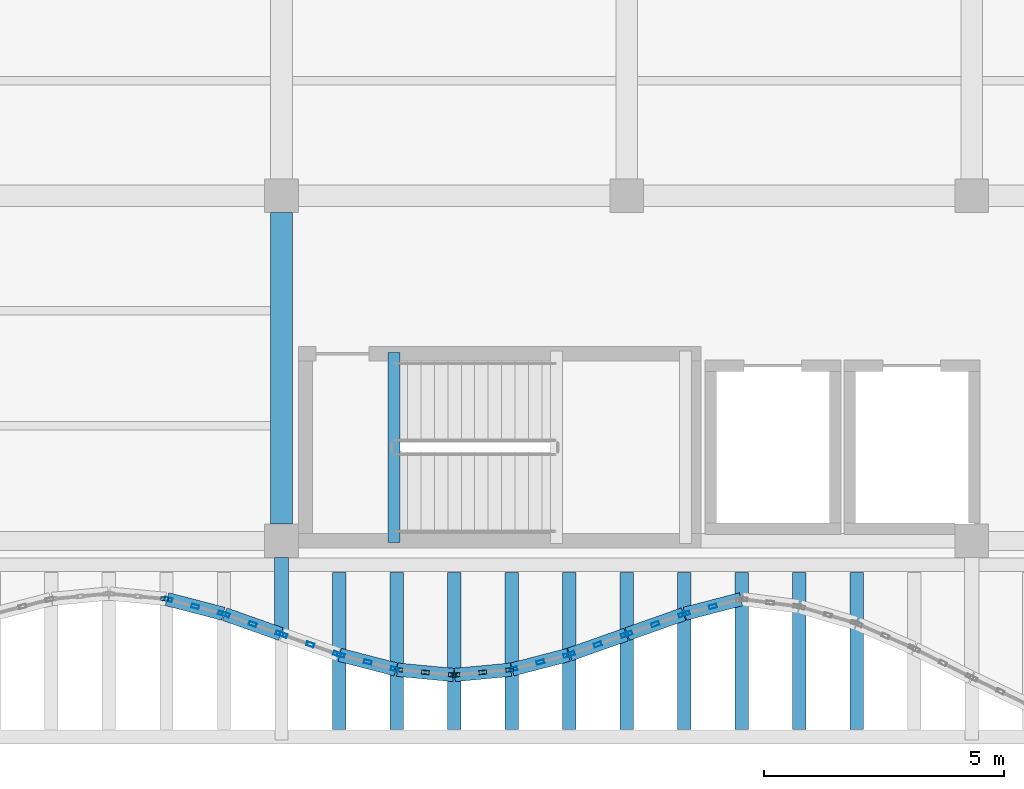
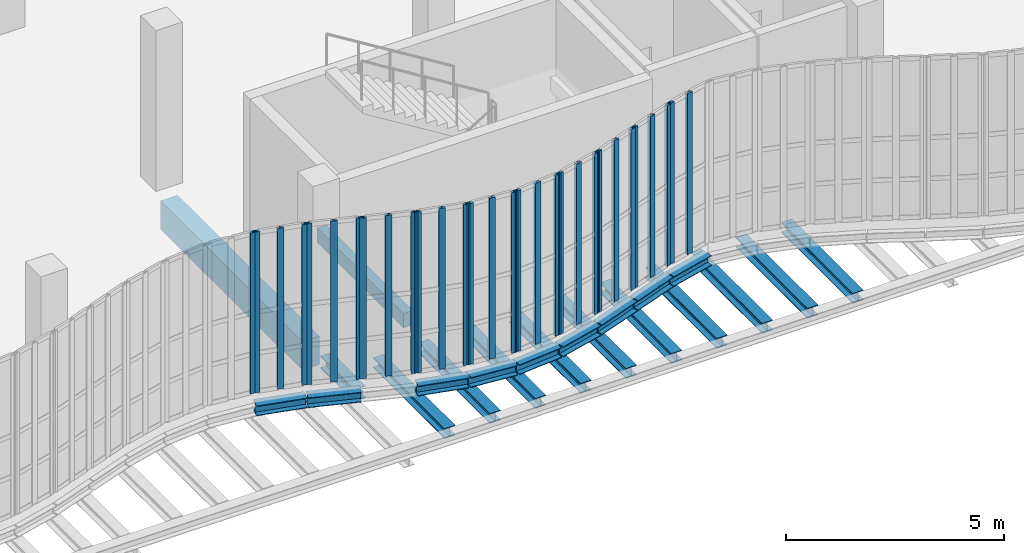
# One storey, part 16 of 108: 30 members, 22 beams, 11 elements without a shape of their own.
"""IFC4 building model written with IfcOpenShell, lengths in metres."""

from ifc_helpers import new_model, si_unit, direction, frame, origin, origin_2d, place, context, subcontext, project, spatial, rectangle, hollow_rectangle, i_section, extrude, material, layer, layer_set, material_profile, profile_set, type_object, element, aggregate, save


model = new_model("IFC4")

# Units and contexts
model_context = context("Model", 3, precision=1e-05, world=origin(), true_north=direction((0.0, 1.0)))
body_context = subcontext(model_context, "Body", "Model", "MODEL_VIEW")
ifc_project = project(units=[si_unit("LENGTHUNIT", "METRE"), si_unit("AREAUNIT", "SQUARE_METRE"), si_unit("VOLUMEUNIT", "CUBIC_METRE"), si_unit("PLANEANGLEUNIT", "RADIAN"), si_unit("MASSUNIT", "GRAM", prefix="KILO"), si_unit("THERMODYNAMICTEMPERATUREUNIT", "KELVIN"), si_unit("POWERUNIT", "WATT")], contexts=[model_context])

# Site, building, storey
site_placement = place(None, origin())
site = spatial("IfcSite", under=ifc_project, at=site_placement, CompositionType="ELEMENT")
building_placement = place(site_placement, origin())
building = spatial("IfcBuilding", under=site, at=building_placement, Name="Kaldorven Railside Theatre", CompositionType="ELEMENT")
storey_placement = place(building_placement, frame((0.0, 0.0, 5.39990234375)))
storey = spatial("IfcBuildingStorey", under=building, at=storey_placement, Name="L01", CompositionType="ELEMENT", Elevation=5.39990234375)

# Beams
ifc_material_1 = material(Name="Steel S355", Category="steel")
ifc_material_profile_1 = material_profile(ifc_material_1, i_section(OverallWidth=0.280029296875, OverallDepth=0.280029296875, WebThickness=0.010498046875, FlangeThickness=0.01806640625, at=origin_2d()), Name="HEB 280")
ifc_profile_set_1 = profile_set([ifc_material_profile_1], Name="Steel S355")
beam_type_1 = type_object("IfcBeamType", Name="BM-HEB280", PredefinedType="SPANDREL", material=ifc_profile_set_1)
beam_1_placement = place(storey_placement, frame((56.014404296875, 17.982421875, -0.43994140625), z_axis=(0.967980555895, -0.25102518481, 0.0), x_axis=(0.25102518481, 0.967980555895, 0.0)))
element("IfcBeam", 1, at=beam_1_placement, inside=storey, type_object=beam_type_1, Name="L01 Sinusoidal Flute Edge Spandrel FSB-017", PredefinedType="SPANDREL", context=body_context, shape_type="SweptSolid", body=[
    extrude(i_section(OverallWidth=0.280029296875, OverallDepth=0.280029296875, WebThickness=0.010498046875, FlangeThickness=0.01806640625, at=origin_2d()), origin(), (0.0, 0.0, 1.0), 1.2099609375),
])
beam_2_placement = place(storey_placement, frame((57.214111328125, 17.669921875, -0.43994140625), z_axis=(0.942627225161, -0.333847142245, 0.0), x_axis=(0.333847142245, 0.942627225161, 0.0)))
element("IfcBeam", 2, at=beam_2_placement, inside=storey, type_object=beam_type_1, Name="L01 Sinusoidal Flute Edge Spandrel FSB-018", PredefinedType="SPANDREL", context=body_context, shape_type="SweptSolid", body=[
    extrude(i_section(OverallWidth=0.280029296875, OverallDepth=0.280029296875, WebThickness=0.010498046875, FlangeThickness=0.01806640625, at=origin_2d()), origin(), (0.0, 0.0, 1.0), 1.2431640625),
])
beam_3_placement = place(storey_placement, frame((59.614501953125, 16.8212890625, -0.43994140625), z_axis=(0.967967836725, -0.251074226206, 0.0), x_axis=(0.251074226206, 0.967967836725, 0.0)))
element("IfcBeam", 3, at=beam_3_placement, inside=storey, type_object=beam_type_1, Name="L01 Sinusoidal Flute Edge Spandrel FSB-020", PredefinedType="SPANDREL", context=body_context, shape_type="SweptSolid", body=[
    extrude(i_section(OverallWidth=0.280029296875, OverallDepth=0.280029296875, WebThickness=0.010498046875, FlangeThickness=0.01806640625, at=origin_2d()), origin(), (0.0, 0.0, 1.0), 1.209716796875),
])
beam_4_placement = place(storey_placement, frame((59.60009765625, 15.260009765625, -0.719970703125), z_axis=(0.0, 1.0, 0.0), x_axis=(-1.0, 0.0, 0.0)))
element("IfcBeam", 4, at=beam_4_placement, inside=storey, type_object=beam_type_1, Name="L01 Sinusoidal Diaphragm Rib Outrigger FOB-M020", PredefinedType="SPANDREL", context=body_context, shape_type="SweptSolid", body=[
    extrude(i_section(OverallWidth=0.280029296875, OverallDepth=0.280029296875, WebThickness=0.010498046875, FlangeThickness=0.01806640625, at=origin_2d()), origin(), (0.0, 0.0, 1.0), 3.280029296875),
])
beam_5_placement = place(storey_placement, frame((60.81494140625, 16.512451171875, -0.43994140625), z_axis=(0.99552436473, -0.094505233873, 0.0), x_axis=(0.094505233873, 0.99552436473, 0.0)))
element("IfcBeam", 5, at=beam_5_placement, inside=storey, type_object=beam_type_1, Name="L01 Sinusoidal Flute Edge Spandrel FSB-021", PredefinedType="SPANDREL", context=body_context, shape_type="SweptSolid", body=[
    extrude(i_section(OverallWidth=0.280029296875, OverallDepth=0.280029296875, WebThickness=0.010498046875, FlangeThickness=0.01806640625, at=origin_2d()), origin(), (0.0, 0.0, 1.0), 1.175537109375),
])
beam_6_placement = place(storey_placement, frame((60.800048828125, 15.260009765625, -0.719970703125), z_axis=(0.0, 1.0, 0.0), x_axis=(-1.0, 0.0, 0.0)))
element("IfcBeam", 6, at=beam_6_placement, inside=storey, type_object=beam_type_1, Name="L01 Sinusoidal Diaphragm Rib Outrigger FOB-M021", PredefinedType="SPANDREL", context=body_context, shape_type="SweptSolid", body=[
    extrude(i_section(OverallWidth=0.280029296875, OverallDepth=0.280029296875, WebThickness=0.010498046875, FlangeThickness=0.01806640625, at=origin_2d()), origin(), (0.0, 0.0, 1.0), 3.280029296875),
])
beam_7_placement = place(storey_placement, frame((62.014892578125, 16.4013671875, -0.43994140625), z_axis=(0.99552436473, 0.094505233873, 0.0), x_axis=(-0.094505233873, 0.99552436473, 0.0)))
element("IfcBeam", 7, at=beam_7_placement, inside=storey, type_object=beam_type_1, Name="L01 Sinusoidal Flute Edge Spandrel FSB-022", PredefinedType="SPANDREL", context=body_context, shape_type="SweptSolid", body=[
    extrude(i_section(OverallWidth=0.280029296875, OverallDepth=0.280029296875, WebThickness=0.010498046875, FlangeThickness=0.01806640625, at=origin_2d()), origin(), (0.0, 0.0, 1.0), 1.175537109375),
])
beam_8_placement = place(storey_placement, frame((62.0, 15.260009765625, -0.719970703125), z_axis=(0.0, 1.0, 0.0), x_axis=(-1.0, 0.0, 0.0)))
element("IfcBeam", 8, at=beam_8_placement, inside=storey, type_object=beam_type_1, Name="L01 Sinusoidal Diaphragm Rib Outrigger FOB-M022", PredefinedType="SPANDREL", context=body_context, shape_type="SweptSolid", body=[
    extrude(i_section(OverallWidth=0.280029296875, OverallDepth=0.280029296875, WebThickness=0.010498046875, FlangeThickness=0.01806640625, at=origin_2d()), origin(), (0.0, 0.0, 1.0), 3.280029296875),
])
beam_9_placement = place(storey_placement, frame((63.214599609375, 16.517578125, -0.43994140625), z_axis=(0.967967836725, 0.251074226206, 0.0), x_axis=(-0.251074226206, 0.967967836725, 0.0)))
element("IfcBeam", 9, at=beam_9_placement, inside=storey, type_object=beam_type_1, Name="L01 Sinusoidal Flute Edge Spandrel FSB-023", PredefinedType="SPANDREL", context=body_context, shape_type="SweptSolid", body=[
    extrude(i_section(OverallWidth=0.280029296875, OverallDepth=0.280029296875, WebThickness=0.010498046875, FlangeThickness=0.01806640625, at=origin_2d()), origin(), (0.0, 0.0, 1.0), 1.209716796875),
])
beam_10_placement = place(storey_placement, frame((63.199951171875, 15.260009765625, -0.719970703125), z_axis=(0.0, 1.0, 0.0), x_axis=(-1.0, 0.0, 0.0)))
element("IfcBeam", 10, at=beam_10_placement, inside=storey, type_object=beam_type_1, Name="L01 Sinusoidal Diaphragm Rib Outrigger FOB-M023", PredefinedType="SPANDREL", context=body_context, shape_type="SweptSolid", body=[
    extrude(i_section(OverallWidth=0.280029296875, OverallDepth=0.280029296875, WebThickness=0.010498046875, FlangeThickness=0.01806640625, at=origin_2d()), origin(), (0.0, 0.0, 1.0), 3.280029296875),
])
beam_11_placement = place(storey_placement, frame((64.4140625, 16.830078125, -0.43994140625), z_axis=(0.942627225161, 0.333847142245, 0.0), x_axis=(-0.333847142245, 0.942627225161, 0.0)))
element("IfcBeam", 11, at=beam_11_placement, inside=storey, type_object=beam_type_1, Name="L01 Sinusoidal Flute Edge Spandrel FSB-024", PredefinedType="SPANDREL", context=body_context, shape_type="SweptSolid", body=[
    extrude(i_section(OverallWidth=0.280029296875, OverallDepth=0.280029296875, WebThickness=0.010498046875, FlangeThickness=0.01806640625, at=origin_2d()), origin(), (0.0, 0.0, 1.0), 1.2431640625),
])
beam_12_placement = place(storey_placement, frame((64.39990234375, 15.260009765625, -0.719970703125), z_axis=(0.0, 1.0, 0.0), x_axis=(-1.0, 0.0, 0.0)))
element("IfcBeam", 12, at=beam_12_placement, inside=storey, type_object=beam_type_1, Name="L01 Sinusoidal Diaphragm Rib Outrigger FOB-M024", PredefinedType="SPANDREL", context=body_context, shape_type="SweptSolid", body=[
    extrude(i_section(OverallWidth=0.280029296875, OverallDepth=0.280029296875, WebThickness=0.010498046875, FlangeThickness=0.01806640625, at=origin_2d()), origin(), (0.0, 0.0, 1.0), 3.280029296875),
])
beam_13_placement = place(storey_placement, frame((65.614013671875, 17.2548828125, -0.43994140625), z_axis=(0.942627225161, 0.333847142245, 0.0), x_axis=(-0.333847142245, 0.942627225161, 0.0)))
element("IfcBeam", 13, at=beam_13_placement, inside=storey, type_object=beam_type_1, Name="L01 Sinusoidal Flute Edge Spandrel FSB-025", PredefinedType="SPANDREL", context=body_context, shape_type="SweptSolid", body=[
    extrude(i_section(OverallWidth=0.280029296875, OverallDepth=0.280029296875, WebThickness=0.010498046875, FlangeThickness=0.01806640625, at=origin_2d()), origin(), (0.0, 0.0, 1.0), 1.2431640625),
])
beam_14_placement = place(storey_placement, frame((65.60009765625, 15.260009765625, -0.719970703125), z_axis=(0.0, 1.0, 0.0), x_axis=(-1.0, 0.0, 0.0)))
element("IfcBeam", 14, at=beam_14_placement, inside=storey, type_object=beam_type_1, Name="L01 Sinusoidal Diaphragm Rib Outrigger FOB-M025", PredefinedType="SPANDREL", context=body_context, shape_type="SweptSolid", body=[
    extrude(i_section(OverallWidth=0.280029296875, OverallDepth=0.280029296875, WebThickness=0.010498046875, FlangeThickness=0.01806640625, at=origin_2d()), origin(), (0.0, 0.0, 1.0), 3.280029296875),
])
beam_15_placement = place(storey_placement, frame((66.814453125, 17.6787109375, -0.43994140625), z_axis=(0.967980555895, 0.25102518481, 0.0), x_axis=(-0.25102518481, 0.967980555895, 0.0)))
element("IfcBeam", 15, at=beam_15_placement, inside=storey, type_object=beam_type_1, Name="L01 Sinusoidal Flute Edge Spandrel FSB-026", PredefinedType="SPANDREL", context=body_context, shape_type="SweptSolid", body=[
    extrude(i_section(OverallWidth=0.280029296875, OverallDepth=0.280029296875, WebThickness=0.010498046875, FlangeThickness=0.01806640625, at=origin_2d()), origin(), (0.0, 0.0, 1.0), 1.2099609375),
])
for number, where, z_axis, x_axis, name in (
    (16, (66.800048828125, 15.260009765625, -0.719970703125), (0.0, 1.0, 0.0), (-1.0, 0.0, 0.0), "L01 Sinusoidal Diaphragm Rib Outrigger FOB-M026"),
    (17, (68.0, 15.260009765625, -0.719970703125), (0.0, 1.0, 0.0), (-1.0, 0.0, 0.0), "L01 Sinusoidal Diaphragm Rib Outrigger FOB-M027"),
    (18, (69.199951171875, 15.260009765625, -0.719970703125), (0.0, 1.0, 0.0), (-1.0, 0.0, 0.0), "L01 Sinusoidal Diaphragm Rib Outrigger FOB-M028"),
    (19, (70.39990234375, 15.260009765625, -0.719970703125), (0.0, 1.0, 0.0), (-1.0, 0.0, 0.0), "L01 Sinusoidal Diaphragm Rib Outrigger FOB-M029"),
):
    element("IfcBeam", number, at=place(storey_placement, frame(where, z_axis=z_axis, x_axis=x_axis)), inside=storey, type_object=beam_type_1, Name=name, PredefinedType="SPANDREL", context=body_context, shape_type="SweptSolid", body=[
        extrude(i_section(OverallWidth=0.280029296875, OverallDepth=0.280029296875, WebThickness=0.010498046875, FlangeThickness=0.01806640625, at=origin_2d()), origin(), (0.0, 0.0, 1.0), 3.280029296875),
    ])
ifc_material_profile_2 = material_profile(ifc_material_1, i_section(OverallWidth=0.300048828125, OverallDepth=0.340087890625, WebThickness=0.011962890625, FlangeThickness=0.021484375, at=origin_2d()), Name="HEB 340")
ifc_profile_set_2 = profile_set([ifc_material_profile_2], Name="Steel S355")
beam_type_2 = type_object("IfcBeamType", Name="BM-HEB340", PredefinedType="SPANDREL", material=ifc_profile_set_2)
beam_16_placement = place(storey_placement, frame((58.39990234375, 17.31005859375, -0.469970703125), z_axis=(0.0, 1.0, 0.0), x_axis=(-1.0, 0.0, 0.0)))
element("IfcBeam", 20, at=beam_16_placement, inside=storey, type_object=beam_type_2, Name="L01 Sinusoidal Veil Outrigger FOB-1058", PredefinedType="SPANDREL", context=body_context, shape_type="SweptSolid", body=[
    extrude(i_section(OverallWidth=0.300048828125, OverallDepth=0.340087890625, WebThickness=0.011962890625, FlangeThickness=0.021484375, at=origin_2d()), origin(), (0.0, 0.0, 1.0), 1.5400390625),
])
ifc_material_2 = material(Name="Concrete C40/50", Category="concrete")
ifc_material_profile_3 = material_profile(ifc_material_2, rectangle(XDim=0.25, YDim=0.39990234375, at=origin_2d()), Name="RC 250x400")
ifc_profile_set_3 = profile_set([ifc_material_profile_3], Name="Concrete C40/50")
beam_type_3 = type_object("IfcBeamType", Name="BM-RC250x400", PredefinedType="LINTEL", material=ifc_profile_set_3)
beam_17_placement = place(storey_placement, frame((60.75, 19.169921875, -0.344970703125), z_axis=(0.0, 1.0, 0.0), x_axis=(-1.0, 0.0, 0.0)))
element("IfcBeam", 21, at=beam_17_placement, inside=storey, type_object=beam_type_3, Name="Stair ST-03 L01 Landing Trimmer Beam", PredefinedType="LINTEL", context=body_context, shape_type="SweptSolid", body=[
    extrude(rectangle(XDim=0.25, YDim=0.39990234375, at=origin_2d()), origin(), (0.0, 0.0, 1.0), 3.9599609375),
])
ifc_material_profile_4 = material_profile(ifc_material_2, rectangle(XDim=0.449951171875, YDim=0.800048828125, at=origin_2d()), Name="RC 450x800")
ifc_profile_set_4 = profile_set([ifc_material_profile_4], Name="Concrete C40/50")
beam_type_4 = type_object("IfcBeamType", Name="BM-RC450x800", PredefinedType="BEAM", material=ifc_profile_set_4)
beam_18_placement = place(storey_placement, frame((58.39990234375, 19.550048828125, -0.699951171875), z_axis=(0.0, 1.0, 0.0), x_axis=(-1.0, 0.0, 0.0)))
element("IfcBeam", 22, at=beam_18_placement, inside=storey, type_object=beam_type_4, Name="L01 Girder BGY-L01-058-019-72", PredefinedType="BEAM", context=body_context, shape_type="SweptSolid", body=[
    extrude(rectangle(XDim=0.449951171875, YDim=0.800048828125, at=origin_2d()), origin(), (0.0, 0.0, 1.0), 6.5),
])

# Curtain wall, member
ifc_material_3 = material(Name="Low-E laminated solar-control glass", Category="glass")
ifc_layer_1 = layer(ifc_material_3, 0.159912109375, Name="Low-E laminated solar-control glass")
ifc_layer_set_1 = layer_set([ifc_layer_1], Name="Low-E laminated solar-control glass")
curtain_wall_type_1 = type_object("IfcCurtainWallType", Name="CWT-03", PredefinedType="USERDEFINED", material=ifc_layer_set_1)
curtain_wall_1_placement = place(storey_placement, origin())
curtain_wall_1 = element("IfcCurtainWall", 23, at=curtain_wall_1_placement, inside=storey, type_object=curtain_wall_type_1, Name="Sinusoidal Fluted Curtain Wall CW-L01-S16", ObjectType="FLUTED GLAZING", PredefinedType="USERDEFINED")
ifc_material_4 = material(Name="Anodised bronze aluminium", Category="aluminium")
ifc_material_profile_5 = material_profile(ifc_material_4, hollow_rectangle(XDim=0.080078125, YDim=0.159912109375, WallThickness=0.00634765625, at=origin_2d()), Name="RHS 160x80x6.3")
ifc_profile_set_5 = profile_set([ifc_material_profile_5], Name="Anodised bronze aluminium")
member_type = type_object("IfcMemberType", Name="CWM-160", PredefinedType="MULLION", material=ifc_profile_set_5)
member_1_placement = place(storey_placement, frame((55.960205078125, 17.989990234375, 0.0), z_axis=(0.0, 0.0, 1.0), x_axis=(0.094491973758, 0.995525623425, 0.0)))
member_1 = element("IfcMember", 24, at=member_1_placement, type_object=member_type, Name="CW-L01-S16 mullion 3", PredefinedType="MULLION", context=body_context, shape_type="SweptSolid", body=[
    extrude(hollow_rectangle(XDim=0.080078125, YDim=0.159912109375, WallThickness=0.00634765625, at=origin_2d()), origin(), (0.0, 0.0, 1.0), 4.5),
])
aggregate(curtain_wall_1, [member_1])

# Curtain wall, members
ifc_layer_2 = layer(ifc_material_3, 0.159912109375, Name="Low-E laminated solar-control glass")
ifc_layer_set_2 = layer_set([ifc_layer_2], Name="Low-E laminated solar-control glass")
curtain_wall_type_2 = type_object("IfcCurtainWallType", Name="CWT-02", PredefinedType="USERDEFINED", material=ifc_layer_set_2)
curtain_wall_2_placement = place(storey_placement, origin())
curtain_wall_2 = element("IfcCurtainWall", 25, at=curtain_wall_2_placement, inside=storey, type_object=curtain_wall_type_2, Name="Sinusoidal Fluted Curtain Wall CW-L01-S17", ObjectType="FLUTED GLAZING", PredefinedType="USERDEFINED")
member_2_placement = place(storey_placement, frame((56.038818359375, 17.97607421875, 0.0), z_axis=(0.0, 0.0, 1.0), x_axis=(0.250953760326, 0.967999075505, 0.0)))
member_2 = element("IfcMember", 26, at=member_2_placement, type_object=member_type, Name="CW-L01-S17 mullion 1", PredefinedType="MULLION", context=body_context, shape_type="SweptSolid", body=[
    extrude(hollow_rectangle(XDim=0.080078125, YDim=0.159912109375, WallThickness=0.00634765625, at=origin_2d()), origin(), (0.0, 0.0, 1.0), 4.5),
])
member_3_placement = place(storey_placement, frame((56.60009765625, 17.83056640625, 0.0), z_axis=(0.0, 0.0, 1.0), x_axis=(0.250953760326, 0.967999075505, 0.0)))
member_3 = element("IfcMember", 27, at=member_3_placement, type_object=member_type, Name="CW-L01-S17 mullion 2", PredefinedType="MULLION", context=body_context, shape_type="SweptSolid", body=[
    extrude(hollow_rectangle(XDim=0.080078125, YDim=0.159912109375, WallThickness=0.00634765625, at=origin_2d()), origin(), (0.0, 0.0, 1.0), 4.5),
])
member_4_placement = place(storey_placement, frame((57.161376953125, 17.68505859375, 0.0), z_axis=(0.0, 0.0, 1.0), x_axis=(0.250953760326, 0.967999075505, 0.0)))
member_4 = element("IfcMember", 28, at=member_4_placement, type_object=member_type, Name="CW-L01-S17 mullion 3", PredefinedType="MULLION", context=body_context, shape_type="SweptSolid", body=[
    extrude(hollow_rectangle(XDim=0.080078125, YDim=0.159912109375, WallThickness=0.00634765625, at=origin_2d()), origin(), (0.0, 0.0, 1.0), 4.5),
])
aggregate(curtain_wall_2, [member_2, member_3, member_4])

ifc_layer_3 = layer(ifc_material_3, 0.159912109375, Name="Low-E laminated solar-control glass")
ifc_layer_set_3 = layer_set([ifc_layer_3], Name="Low-E laminated solar-control glass")
curtain_wall_type_3 = type_object("IfcCurtainWallType", Name="CWT-01", PredefinedType="USERDEFINED", material=ifc_layer_set_3)
curtain_wall_3_placement = place(storey_placement, origin())
curtain_wall_3 = element("IfcCurtainWall", 29, at=curtain_wall_3_placement, inside=storey, type_object=curtain_wall_type_3, Name="Sinusoidal Fluted Curtain Wall CW-L01-S18", ObjectType="FLUTED GLAZING", PredefinedType="USERDEFINED")
member_5_placement = place(storey_placement, frame((57.23779296875, 17.66162109375, 0.0), z_axis=(0.0, 0.0, 1.0), x_axis=(0.33384714225, 0.942627225159, 0.0)))
member_5 = element("IfcMember", 30, at=member_5_placement, type_object=member_type, Name="CW-L01-S18 mullion 1", PredefinedType="MULLION", context=body_context, shape_type="SweptSolid", body=[
    extrude(hollow_rectangle(XDim=0.080078125, YDim=0.159912109375, WallThickness=0.00634765625, at=origin_2d()), origin(), (0.0, 0.0, 1.0), 4.5),
])
member_6_placement = place(storey_placement, frame((57.800048828125, 17.46240234375, 0.0), z_axis=(0.0, 0.0, 1.0), x_axis=(0.33384714225, 0.942627225159, 0.0)))
member_6 = element("IfcMember", 31, at=member_6_placement, type_object=member_type, Name="CW-L01-S18 mullion 2", PredefinedType="MULLION", context=body_context, shape_type="SweptSolid", body=[
    extrude(hollow_rectangle(XDim=0.080078125, YDim=0.159912109375, WallThickness=0.00634765625, at=origin_2d()), origin(), (0.0, 0.0, 1.0), 4.5),
])
member_7_placement = place(storey_placement, frame((58.3623046875, 17.263427734375, 0.0), z_axis=(0.0, 0.0, 1.0), x_axis=(0.33384714225, 0.942627225159, 0.0)))
member_7 = element("IfcMember", 32, at=member_7_placement, type_object=member_type, Name="CW-L01-S18 mullion 3", PredefinedType="MULLION", context=body_context, shape_type="SweptSolid", body=[
    extrude(hollow_rectangle(XDim=0.080078125, YDim=0.159912109375, WallThickness=0.00634765625, at=origin_2d()), origin(), (0.0, 0.0, 1.0), 4.5),
])
aggregate(curtain_wall_3, [member_5, member_6, member_7])

curtain_wall_4_placement = place(storey_placement, origin())
curtain_wall_4 = element("IfcCurtainWall", 33, at=curtain_wall_4_placement, inside=storey, type_object=curtain_wall_type_3, Name="Sinusoidal Fluted Curtain Wall CW-L01-S19", ObjectType="FLUTED GLAZING", PredefinedType="USERDEFINED")
member_8_placement = place(storey_placement, frame((58.437744140625, 17.236572265625, 0.0), z_axis=(0.0, 0.0, 1.0), x_axis=(0.33384714225, 0.942627225159, 0.0)))
member_8 = element("IfcMember", 34, at=member_8_placement, type_object=member_type, Name="CW-L01-S19 mullion 1", PredefinedType="MULLION", context=body_context, shape_type="SweptSolid", body=[
    extrude(hollow_rectangle(XDim=0.080078125, YDim=0.159912109375, WallThickness=0.00634765625, at=origin_2d()), origin(), (0.0, 0.0, 1.0), 4.5),
])
member_9_placement = place(storey_placement, frame((59.0, 17.03759765625, 0.0), z_axis=(0.0, 0.0, 1.0), x_axis=(0.33384714225, 0.942627225159, 0.0)))
member_9 = element("IfcMember", 35, at=member_9_placement, type_object=member_type, Name="CW-L01-S19 mullion 2", PredefinedType="MULLION", context=body_context, shape_type="SweptSolid", body=[
    extrude(hollow_rectangle(XDim=0.080078125, YDim=0.159912109375, WallThickness=0.00634765625, at=origin_2d()), origin(), (0.0, 0.0, 1.0), 4.5),
])
member_10_placement = place(storey_placement, frame((59.562255859375, 16.83837890625, 0.0), z_axis=(0.0, 0.0, 1.0), x_axis=(0.33384714225, 0.942627225159, 0.0)))
member_10 = element("IfcMember", 36, at=member_10_placement, type_object=member_type, Name="CW-L01-S19 mullion 3", PredefinedType="MULLION", context=body_context, shape_type="SweptSolid", body=[
    extrude(hollow_rectangle(XDim=0.080078125, YDim=0.159912109375, WallThickness=0.00634765625, at=origin_2d()), origin(), (0.0, 0.0, 1.0), 4.5),
])
aggregate(curtain_wall_4, [member_8, member_9, member_10])

curtain_wall_5_placement = place(storey_placement, origin())
curtain_wall_5 = element("IfcCurtainWall", 37, at=curtain_wall_5_placement, inside=storey, type_object=curtain_wall_type_2, Name="Sinusoidal Fluted Curtain Wall CW-L01-S20", ObjectType="FLUTED GLAZING", PredefinedType="USERDEFINED")
member_11_placement = place(storey_placement, frame((59.638671875, 16.81494140625, 0.0), z_axis=(0.0, 0.0, 1.0), x_axis=(0.250953760326, 0.967999075505, 0.0)))
member_11 = element("IfcMember", 38, at=member_11_placement, type_object=member_type, Name="CW-L01-S20 mullion 1", PredefinedType="MULLION", context=body_context, shape_type="SweptSolid", body=[
    extrude(hollow_rectangle(XDim=0.080078125, YDim=0.159912109375, WallThickness=0.00634765625, at=origin_2d()), origin(), (0.0, 0.0, 1.0), 4.5),
])
member_12_placement = place(storey_placement, frame((60.199951171875, 16.66943359375, 0.0), z_axis=(0.0, 0.0, 1.0), x_axis=(0.250953760326, 0.967999075505, 0.0)))
member_12 = element("IfcMember", 39, at=member_12_placement, type_object=member_type, Name="CW-L01-S20 mullion 2", PredefinedType="MULLION", context=body_context, shape_type="SweptSolid", body=[
    extrude(hollow_rectangle(XDim=0.080078125, YDim=0.159912109375, WallThickness=0.00634765625, at=origin_2d()), origin(), (0.0, 0.0, 1.0), 4.5),
])
member_13_placement = place(storey_placement, frame((60.76123046875, 16.52392578125, 0.0), z_axis=(0.0, 0.0, 1.0), x_axis=(0.250953760326, 0.967999075505, 0.0)))
member_13 = element("IfcMember", 40, at=member_13_placement, type_object=member_type, Name="CW-L01-S20 mullion 3", PredefinedType="MULLION", context=body_context, shape_type="SweptSolid", body=[
    extrude(hollow_rectangle(XDim=0.080078125, YDim=0.159912109375, WallThickness=0.00634765625, at=origin_2d()), origin(), (0.0, 0.0, 1.0), 4.5),
])
aggregate(curtain_wall_5, [member_11, member_12, member_13])

curtain_wall_6_placement = place(storey_placement, origin())
curtain_wall_6 = element("IfcCurtainWall", 41, at=curtain_wall_6_placement, inside=storey, type_object=curtain_wall_type_1, Name="Sinusoidal Fluted Curtain Wall CW-L01-S21", ObjectType="FLUTED GLAZING", PredefinedType="USERDEFINED")
member_14_placement = place(storey_placement, frame((60.83984375, 16.510009765625, 0.0), z_axis=(0.0, 0.0, 1.0), x_axis=(0.094491973758, 0.995525623425, 0.0)))
member_14 = element("IfcMember", 42, at=member_14_placement, type_object=member_type, Name="CW-L01-S21 mullion 1", PredefinedType="MULLION", context=body_context, shape_type="SweptSolid", body=[
    extrude(hollow_rectangle(XDim=0.080078125, YDim=0.159912109375, WallThickness=0.00634765625, at=origin_2d()), origin(), (0.0, 0.0, 1.0), 4.5),
])
member_15_placement = place(storey_placement, frame((61.39990234375, 16.45703125, 0.0), z_axis=(0.0, 0.0, 1.0), x_axis=(0.094491973758, 0.995525623425, 0.0)))
member_15 = element("IfcMember", 43, at=member_15_placement, type_object=member_type, Name="CW-L01-S21 mullion 2", PredefinedType="MULLION", context=body_context, shape_type="SweptSolid", body=[
    extrude(hollow_rectangle(XDim=0.080078125, YDim=0.159912109375, WallThickness=0.00634765625, at=origin_2d()), origin(), (0.0, 0.0, 1.0), 4.5),
])
member_16_placement = place(storey_placement, frame((61.960205078125, 16.40380859375, 0.0), z_axis=(0.0, 0.0, 1.0), x_axis=(0.094491973758, 0.995525623425, 0.0)))
member_16 = element("IfcMember", 44, at=member_16_placement, type_object=member_type, Name="CW-L01-S21 mullion 3", PredefinedType="MULLION", context=body_context, shape_type="SweptSolid", body=[
    extrude(hollow_rectangle(XDim=0.080078125, YDim=0.159912109375, WallThickness=0.00634765625, at=origin_2d()), origin(), (0.0, 0.0, 1.0), 4.5),
])
aggregate(curtain_wall_6, [member_14, member_15, member_16])

curtain_wall_7_placement = place(storey_placement, origin())
curtain_wall_7 = element("IfcCurtainWall", 45, at=curtain_wall_7_placement, inside=storey, type_object=curtain_wall_type_1, Name="Sinusoidal Fluted Curtain Wall CW-L01-S22", ObjectType="FLUTED GLAZING", PredefinedType="USERDEFINED")
member_17_placement = place(storey_placement, frame((62.039794921875, 16.40380859375, 0.0), z_axis=(0.0, 0.0, 1.0), x_axis=(-0.094491973758, 0.995525623425, 0.0)))
member_17 = element("IfcMember", 46, at=member_17_placement, type_object=member_type, Name="CW-L01-S22 mullion 1", PredefinedType="MULLION", context=body_context, shape_type="SweptSolid", body=[
    extrude(hollow_rectangle(XDim=0.080078125, YDim=0.159912109375, WallThickness=0.00634765625, at=origin_2d()), origin(), (0.0, 0.0, 1.0), 4.5),
])
member_18_placement = place(storey_placement, frame((62.60009765625, 16.45703125, 0.0), z_axis=(0.0, 0.0, 1.0), x_axis=(-0.094491973758, 0.995525623425, 0.0)))
member_18 = element("IfcMember", 47, at=member_18_placement, type_object=member_type, Name="CW-L01-S22 mullion 2", PredefinedType="MULLION", context=body_context, shape_type="SweptSolid", body=[
    extrude(hollow_rectangle(XDim=0.080078125, YDim=0.159912109375, WallThickness=0.00634765625, at=origin_2d()), origin(), (0.0, 0.0, 1.0), 4.5),
])
member_19_placement = place(storey_placement, frame((63.16015625, 16.510009765625, 0.0), z_axis=(0.0, 0.0, 1.0), x_axis=(-0.094491973758, 0.995525623425, 0.0)))
member_19 = element("IfcMember", 48, at=member_19_placement, type_object=member_type, Name="CW-L01-S22 mullion 3", PredefinedType="MULLION", context=body_context, shape_type="SweptSolid", body=[
    extrude(hollow_rectangle(XDim=0.080078125, YDim=0.159912109375, WallThickness=0.00634765625, at=origin_2d()), origin(), (0.0, 0.0, 1.0), 4.5),
])
aggregate(curtain_wall_7, [member_17, member_18, member_19])

curtain_wall_8_placement = place(storey_placement, origin())
curtain_wall_8 = element("IfcCurtainWall", 49, at=curtain_wall_8_placement, inside=storey, type_object=curtain_wall_type_2, Name="Sinusoidal Fluted Curtain Wall CW-L01-S23", ObjectType="FLUTED GLAZING", PredefinedType="USERDEFINED")
member_20_placement = place(storey_placement, frame((63.23876953125, 16.52392578125, 0.0), z_axis=(0.0, 0.0, 1.0), x_axis=(-0.250953760326, 0.967999075505, 0.0)))
member_20 = element("IfcMember", 50, at=member_20_placement, type_object=member_type, Name="CW-L01-S23 mullion 1", PredefinedType="MULLION", context=body_context, shape_type="SweptSolid", body=[
    extrude(hollow_rectangle(XDim=0.080078125, YDim=0.159912109375, WallThickness=0.00634765625, at=origin_2d()), origin(), (0.0, 0.0, 1.0), 4.5),
])
member_21_placement = place(storey_placement, frame((63.800048828125, 16.66943359375, 0.0), z_axis=(0.0, 0.0, 1.0), x_axis=(-0.250953760326, 0.967999075505, 0.0)))
member_21 = element("IfcMember", 51, at=member_21_placement, type_object=member_type, Name="CW-L01-S23 mullion 2", PredefinedType="MULLION", context=body_context, shape_type="SweptSolid", body=[
    extrude(hollow_rectangle(XDim=0.080078125, YDim=0.159912109375, WallThickness=0.00634765625, at=origin_2d()), origin(), (0.0, 0.0, 1.0), 4.5),
])
member_22_placement = place(storey_placement, frame((64.361328125, 16.81494140625, 0.0), z_axis=(0.0, 0.0, 1.0), x_axis=(-0.250953760326, 0.967999075505, 0.0)))
member_22 = element("IfcMember", 52, at=member_22_placement, type_object=member_type, Name="CW-L01-S23 mullion 3", PredefinedType="MULLION", context=body_context, shape_type="SweptSolid", body=[
    extrude(hollow_rectangle(XDim=0.080078125, YDim=0.159912109375, WallThickness=0.00634765625, at=origin_2d()), origin(), (0.0, 0.0, 1.0), 4.5),
])
aggregate(curtain_wall_8, [member_20, member_21, member_22])

curtain_wall_9_placement = place(storey_placement, origin())
curtain_wall_9 = element("IfcCurtainWall", 53, at=curtain_wall_9_placement, inside=storey, type_object=curtain_wall_type_3, Name="Sinusoidal Fluted Curtain Wall CW-L01-S24", ObjectType="FLUTED GLAZING", PredefinedType="USERDEFINED")
member_23_placement = place(storey_placement, frame((64.437744140625, 16.83837890625, 0.0), z_axis=(0.0, 0.0, 1.0), x_axis=(-0.33384714225, 0.942627225159, 0.0)))
member_23 = element("IfcMember", 54, at=member_23_placement, type_object=member_type, Name="CW-L01-S24 mullion 1", PredefinedType="MULLION", context=body_context, shape_type="SweptSolid", body=[
    extrude(hollow_rectangle(XDim=0.080078125, YDim=0.159912109375, WallThickness=0.00634765625, at=origin_2d()), origin(), (0.0, 0.0, 1.0), 4.5),
])
member_24_placement = place(storey_placement, frame((65.0, 17.03759765625, 0.0), z_axis=(0.0, 0.0, 1.0), x_axis=(-0.33384714225, 0.942627225159, 0.0)))
member_24 = element("IfcMember", 55, at=member_24_placement, type_object=member_type, Name="CW-L01-S24 mullion 2", PredefinedType="MULLION", context=body_context, shape_type="SweptSolid", body=[
    extrude(hollow_rectangle(XDim=0.080078125, YDim=0.159912109375, WallThickness=0.00634765625, at=origin_2d()), origin(), (0.0, 0.0, 1.0), 4.5),
])
member_25_placement = place(storey_placement, frame((65.562255859375, 17.236572265625, 0.0), z_axis=(0.0, 0.0, 1.0), x_axis=(-0.33384714225, 0.942627225159, 0.0)))
member_25 = element("IfcMember", 56, at=member_25_placement, type_object=member_type, Name="CW-L01-S24 mullion 3", PredefinedType="MULLION", context=body_context, shape_type="SweptSolid", body=[
    extrude(hollow_rectangle(XDim=0.080078125, YDim=0.159912109375, WallThickness=0.00634765625, at=origin_2d()), origin(), (0.0, 0.0, 1.0), 4.5),
])
aggregate(curtain_wall_9, [member_23, member_24, member_25])

curtain_wall_10_placement = place(storey_placement, origin())
curtain_wall_10 = element("IfcCurtainWall", 57, at=curtain_wall_10_placement, inside=storey, type_object=curtain_wall_type_3, Name="Sinusoidal Fluted Curtain Wall CW-L01-S25", ObjectType="FLUTED GLAZING", PredefinedType="USERDEFINED")
member_26_placement = place(storey_placement, frame((65.6376953125, 17.263427734375, 0.0), z_axis=(0.0, 0.0, 1.0), x_axis=(-0.33384714225, 0.942627225159, 0.0)))
member_26 = element("IfcMember", 58, at=member_26_placement, type_object=member_type, Name="CW-L01-S25 mullion 1", PredefinedType="MULLION", context=body_context, shape_type="SweptSolid", body=[
    extrude(hollow_rectangle(XDim=0.080078125, YDim=0.159912109375, WallThickness=0.00634765625, at=origin_2d()), origin(), (0.0, 0.0, 1.0), 4.5),
])
member_27_placement = place(storey_placement, frame((66.199951171875, 17.46240234375, 0.0), z_axis=(0.0, 0.0, 1.0), x_axis=(-0.33384714225, 0.942627225159, 0.0)))
member_27 = element("IfcMember", 59, at=member_27_placement, type_object=member_type, Name="CW-L01-S25 mullion 2", PredefinedType="MULLION", context=body_context, shape_type="SweptSolid", body=[
    extrude(hollow_rectangle(XDim=0.080078125, YDim=0.159912109375, WallThickness=0.00634765625, at=origin_2d()), origin(), (0.0, 0.0, 1.0), 4.5),
])
member_28_placement = place(storey_placement, frame((66.76220703125, 17.66162109375, 0.0), z_axis=(0.0, 0.0, 1.0), x_axis=(-0.33384714225, 0.942627225159, 0.0)))
member_28 = element("IfcMember", 60, at=member_28_placement, type_object=member_type, Name="CW-L01-S25 mullion 3", PredefinedType="MULLION", context=body_context, shape_type="SweptSolid", body=[
    extrude(hollow_rectangle(XDim=0.080078125, YDim=0.159912109375, WallThickness=0.00634765625, at=origin_2d()), origin(), (0.0, 0.0, 1.0), 4.5),
])
aggregate(curtain_wall_10, [member_26, member_27, member_28])

curtain_wall_11_placement = place(storey_placement, origin())
curtain_wall_11 = element("IfcCurtainWall", 61, at=curtain_wall_11_placement, inside=storey, type_object=curtain_wall_type_2, Name="Sinusoidal Fluted Curtain Wall CW-L01-S26", ObjectType="FLUTED GLAZING", PredefinedType="USERDEFINED")
member_29_placement = place(storey_placement, frame((66.838623046875, 17.68505859375, 0.0), z_axis=(0.0, 0.0, 1.0), x_axis=(-0.250953760326, 0.967999075505, 0.0)))
member_29 = element("IfcMember", 62, at=member_29_placement, type_object=member_type, Name="CW-L01-S26 mullion 1", PredefinedType="MULLION", context=body_context, shape_type="SweptSolid", body=[
    extrude(hollow_rectangle(XDim=0.080078125, YDim=0.159912109375, WallThickness=0.00634765625, at=origin_2d()), origin(), (0.0, 0.0, 1.0), 4.5),
])
member_30_placement = place(storey_placement, frame((67.39990234375, 17.83056640625, 0.0), z_axis=(0.0, 0.0, 1.0), x_axis=(-0.250953760326, 0.967999075505, 0.0)))
member_30 = element("IfcMember", 63, at=member_30_placement, type_object=member_type, Name="CW-L01-S26 mullion 2", PredefinedType="MULLION", context=body_context, shape_type="SweptSolid", body=[
    extrude(hollow_rectangle(XDim=0.080078125, YDim=0.159912109375, WallThickness=0.00634765625, at=origin_2d()), origin(), (0.0, 0.0, 1.0), 4.5),
])
aggregate(curtain_wall_11, [member_29, member_30])

save(model, "model.ifc")
